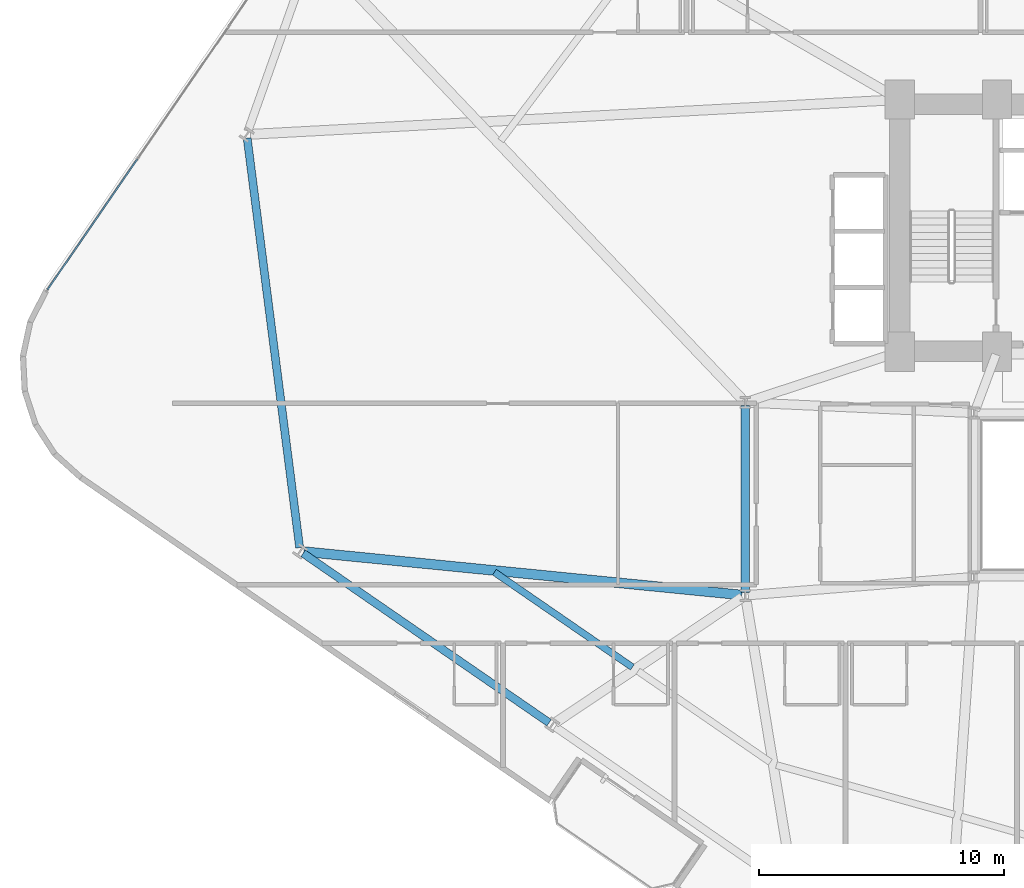
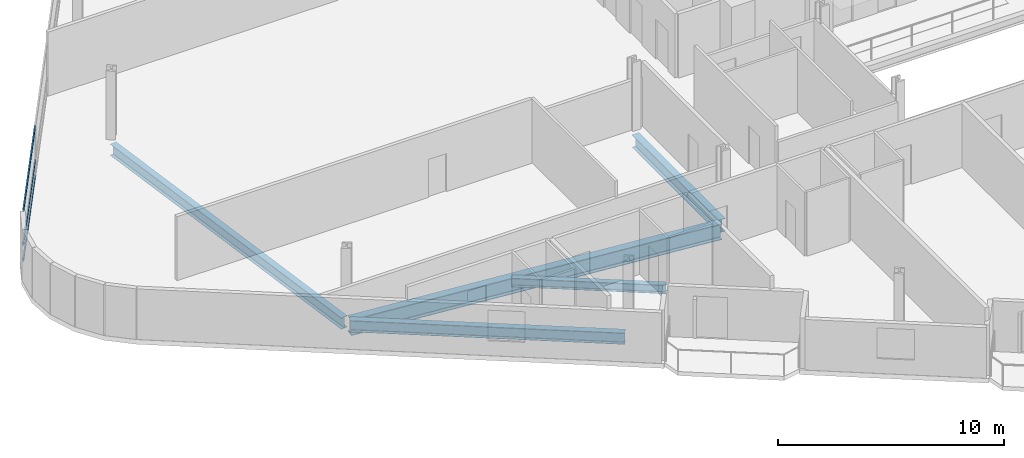
# One storey, part 3 of 25: 5 beams, 3 members, 1 element without a shape of its own.
"""IFC4 building model written with IfcOpenShell, lengths in metres."""

import ifcopenshell
import ifcopenshell.guid

model = None  # the IFC model being written
_history = None  # IfcOwnerHistory: only IFC2X3 demands one
_inside = {}  # id of a spatial element -> (the spatial element, [elements in it])
_under = {}  # id of a project, library or spatial element -> (it, [spatial elements below it])
_declared = {}  # id of a project -> (the project, [libraries it declares])
_typed = {}  # id of a type object -> (the type object, [elements of that type])
_made_of = {}  # id of a material, layer set ... -> (it, [elements and type objects made of it])


def new_model(schema):
    """Start an empty IFC model of exactly this schema.

    Asked for "IFC4X3", IfcOpenShell would pick the latest addendum, in which some entities
    have other attributes; the version numbers below select the first issue.
    IFC2X3 requires an IfcOwnerHistory on every rooted entity: one is made here for all.
    """
    global model, _history
    if schema == "IFC4X3":
        model = ifcopenshell.file(schema_version=(4, 3, 0, 0))
    else:
        model = ifcopenshell.file(schema=schema)
    _inside.clear()
    _under.clear()
    _declared.clear()
    _typed.clear()
    _made_of.clear()
    _history = None
    if model.schema == "IFC2X3":
        org = make("IfcOrganization", Name="unknown")
        user = make(
            "IfcPersonAndOrganization",
            ThePerson=make("IfcPerson", FamilyName="unknown"),
            TheOrganization=org,
        )
        app = make(
            "IfcApplication",
            ApplicationDeveloper=org,
            Version="unknown",
            ApplicationFullName="unknown",
            ApplicationIdentifier="unknown",
        )
        _history = make(
            "IfcOwnerHistory",
            OwningUser=user,
            OwningApplication=app,
            ChangeAction="ADDED",
            CreationDate=0,
        )
    return model


def make(cls, **values):
    """One entity of the class cls with the attributes given. An attribute that is None is left unset."""
    return model.create_entity(
        cls, **{name: value for name, value in values.items() if value is not None}
    )


def rooted(cls, **values):
    """An entity with a GlobalId (a new one), such as an element, a storey or a relation."""
    return make(cls, GlobalId=ifcopenshell.guid.new(), OwnerHistory=_history, **values)


def si_unit(unit_type, name, prefix=None):
    """IfcSIUnit, for example si_unit("LENGTHUNIT", "METRE", prefix="MILLI")."""
    return make("IfcSIUnit", UnitType=unit_type, Prefix=prefix, Name=name)


def assignment(units):
    """IfcUnitAssignment: the units of a project."""
    return None if units is None else make("IfcUnitAssignment", Units=units)


def point(xyz):
    """IfcCartesianPoint."""
    return None if xyz is None else make("IfcCartesianPoint", Coordinates=xyz)


def direction(xyz):
    """IfcDirection."""
    return None if xyz is None else make("IfcDirection", DirectionRatios=xyz)


def frame(location, z_axis=None, x_axis=None):
    """IfcAxis2Placement3D, a coordinate frame: its origin and axes. An axis left out is left unset."""
    return make(
        "IfcAxis2Placement3D",
        Location=point(location),
        Axis=direction(z_axis),
        RefDirection=direction(x_axis),
    )


def frame_2d(location, x_axis=None):
    """IfcAxis2Placement2D, a coordinate frame in the plane: its origin and x axis."""
    return make(
        "IfcAxis2Placement2D", Location=point(location), RefDirection=direction(x_axis)
    )


def origin():
    """The frame at (0, 0, 0) with its axes left unset."""
    return frame((0.0, 0.0, 0.0))


def origin_2d():
    """The frame at (0, 0) in the plane with its x axis left unset."""
    return frame_2d((0.0, 0.0))


def place(relative_to, where):
    """IfcLocalPlacement: puts the frame where relative to a parent placement (None: the world)."""
    return make(
        "IfcLocalPlacement", PlacementRelTo=relative_to, RelativePlacement=where
    )


def context(
    kind, dimensions, precision=None, world=None, true_north=None, identifier=None
):
    """IfcGeometricRepresentationContext, for example the 3D "Model" context."""
    return make(
        "IfcGeometricRepresentationContext",
        ContextIdentifier=identifier,
        ContextType=kind,
        CoordinateSpaceDimension=dimensions,
        Precision=precision,
        WorldCoordinateSystem=world,
        TrueNorth=true_north,
    )


def subcontext(parent, identifier, kind, view, scale=None):
    """IfcGeometricRepresentationSubContext, for example "Body" below "Model"."""
    return make(
        "IfcGeometricRepresentationSubContext",
        ContextIdentifier=identifier,
        ContextType=kind,
        ParentContext=parent,
        TargetScale=scale,
        TargetView=view,
    )


def project(units=None, contexts=None):
    """IfcProject with its units and contexts."""
    return rooted(
        "IfcProject",
        Name="project",
        RepresentationContexts=contexts,
        UnitsInContext=assignment(units),
    )


def spatial(cls, under=None, at=None, **own):
    """A site, building, storey or space (cls), placed at a placement, below another one or the project."""
    s = rooted(cls, ObjectPlacement=at, **own)
    if under is not None:
        _under.setdefault(under.id(), (under, []))[1].append(s)
    return s


def profile(cls, at=None, kind="AREA", **sizes):
    """A parametric profile (cls). Its sizes go by their IFC names, for example OverallWidth=200.0."""
    return make(cls, ProfileType=kind, Position=at, **sizes)


def hollow_rectangle(**sizes):
    """IfcRectangleHollowProfileDef."""
    return profile("IfcRectangleHollowProfileDef", **sizes)


def i_section(**sizes):
    """IfcIShapeProfileDef."""
    return profile("IfcIShapeProfileDef", **sizes)


def extrude(swept, where, along, depth):
    """IfcExtrudedAreaSolid: the profile swept, set in the frame where, extruded along a direction by depth."""
    return make(
        "IfcExtrudedAreaSolid",
        SweptArea=swept,
        Position=where,
        ExtrudedDirection=direction(along),
        Depth=depth,
    )


def shape(context_of_items, identifier, shape_type, items):
    """IfcShapeRepresentation: the items that make up one representation, for example the "Body"."""
    return make(
        "IfcShapeRepresentation",
        ContextOfItems=context_of_items,
        RepresentationIdentifier=identifier,
        RepresentationType=shape_type,
        Items=items,
    )


def material(Name=None, Category=None):
    """IfcMaterial."""
    return make("IfcMaterial", Name=Name, Category=Category)


def layer(
    of_material, thickness, ventilated=None, Name=None, Category=None, Priority=None
):
    """IfcMaterialLayer: one layer of a wall or slab, of a material (None: an air gap)."""
    return make(
        "IfcMaterialLayer",
        Material=of_material,
        LayerThickness=thickness,
        IsVentilated=ventilated,
        Name=Name,
        Category=Category,
        Priority=Priority,
    )


def layer_set(layers, Name=None):
    """IfcMaterialLayerSet."""
    return make("IfcMaterialLayerSet", MaterialLayers=layers, LayerSetName=Name)


def material_profile(
    of_material, cross_section, Name=None, Category=None, Priority=None
):
    """IfcMaterialProfile: a cross section and its material."""
    return make(
        "IfcMaterialProfile",
        Name=Name,
        Material=of_material,
        Profile=cross_section,
        Priority=Priority,
        Category=Category,
    )


def profile_set(profiles, Name=None, composite=None):
    """IfcMaterialProfileSet."""
    return make(
        "IfcMaterialProfileSet",
        Name=Name,
        MaterialProfiles=profiles,
        CompositeProfile=composite,
    )


def made_of(thing, what):
    """Note that an element or type object is made of a material, layer set ...; save() writes the relation."""
    if what is not None:
        _made_of.setdefault(what.id(), (what, []))[1].append(thing)
    return thing


def type_object(cls, material=None, **own):
    """A type object (cls), such as IfcWallType, which elements share."""
    return made_of(rooted(cls, **own), material)


def element(
    cls,
    number,
    at=None,
    inside=None,
    cuts=None,
    type_object=None,
    material=None,
    context=None,
    identifier="Body",
    shape_type=None,
    held_by="IfcProductDefinitionShape",
    body=None,
    shapes=None,
    **own,
):
    """One element of the class cls, such as IfcWall. Its Tag is "e" and its number.

    at: its placement. inside: the storey or other place that contains it. cuts: it is an
    opening in that element (IfcRelVoidsElement). A single representation is given by context,
    identifier, shape_type and body (its items); several are given by shapes. held_by: the class
    of the entity that holds the representations. save() writes the other relations.
    """
    e = rooted(cls, Tag="e%d" % number, ObjectPlacement=at, **own)
    if body is not None:
        shapes = [shape(context, identifier, shape_type, body)]
    if shapes is not None:
        e.Representation = make(held_by, Representations=shapes)
    if inside is not None:
        _inside.setdefault(inside.id(), (inside, []))[1].append(e)
    if cuts is not None:
        rooted(
            "IfcRelVoidsElement", RelatingBuildingElement=cuts, RelatedOpeningElement=e
        )
    if type_object is not None:
        _typed.setdefault(type_object.id(), (type_object, []))[1].append(e)
    return made_of(e, material)


def aggregate(whole, parts):
    """IfcRelAggregates: a whole, such as a stair, and the parts it consists of."""
    return rooted("IfcRelAggregates", RelatingObject=whole, RelatedObjects=parts)


def save(model, path):
    """Write the relations noted so far, then the file.

    IfcRelAggregates (storeys below a building ...), IfcRelContainedInSpatialStructure (elements
    in a storey), IfcRelDefinesByType, IfcRelAssociatesMaterial and IfcRelDeclares: one each for
    every whole, place, type object, material and project.
    """
    for whole, parts in _under.values():
        aggregate(whole, parts)
    for where, things in _inside.values():
        rooted(
            "IfcRelContainedInSpatialStructure",
            RelatedElements=things,
            RelatingStructure=where,
        )
    for kind, things in _typed.values():
        rooted("IfcRelDefinesByType", RelatedObjects=things, RelatingType=kind)
    for what, things in _made_of.values():
        rooted("IfcRelAssociatesMaterial", RelatedObjects=things, RelatingMaterial=what)
    for by, libraries in _declared.values():
        rooted("IfcRelDeclares", RelatingContext=by, RelatedDefinitions=libraries)
    model.write(path)


model = new_model("IFC4")

# Units and contexts
model_context = context("Model", 3, precision=1e-05, world=origin(), true_north=direction((0.0, 1.0)))
body_context = subcontext(model_context, "Body", "Model", "MODEL_VIEW")
ifc_project = project(units=[si_unit("LENGTHUNIT", "METRE"), si_unit("AREAUNIT", "SQUARE_METRE"), si_unit("VOLUMEUNIT", "CUBIC_METRE"), si_unit("PLANEANGLEUNIT", "RADIAN"), si_unit("MASSUNIT", "GRAM", prefix="KILO")], contexts=[model_context])

# Site, building, storey
site_placement = place(None, origin())
site = spatial("IfcSite", under=ifc_project, at=site_placement, CompositionType="ELEMENT")
building_placement = place(site_placement, origin())
building = spatial("IfcBuilding", under=site, at=building_placement, Name="Varnelok Gate Tower", CompositionType="ELEMENT")
storey_placement = place(building_placement, frame((0.0, 0.0, 52.89990234375)))
storey = spatial("IfcBuildingStorey", under=building, at=storey_placement, Name="L12", CompositionType="ELEMENT", Elevation=52.89990234375)

# Beams
ifc_material_1 = material(Name="Structural Steel ASTM A992 Grade 50", Category="steel")
ifc_material_profile_1 = material_profile(ifc_material_1, i_section(OverallWidth=0.280029296875, OverallDepth=0.462890625, WebThickness=0.0107421875, FlangeThickness=0.017333984375, FilletRadius=0.014892578125, at=origin_2d()), Name="W18X76")
ifc_profile_set_1 = profile_set([ifc_material_profile_1], Name="Structural Steel ASTM A992 Grade 50")
beam_type_1 = type_object("IfcBeamType", Name="BM-JST-W18X76", PredefinedType="JOIST", material=ifc_profile_set_1)
beam_1_placement = place(storey_placement, frame((14.149658203125, 19.748046875, -0.4814453125), z_axis=(0.823536853352, -0.567262770831, 0.0), x_axis=(0.567262770831, 0.823536853352, 0.0)))
element("IfcBeam", 1, at=beam_1_placement, inside=storey, type_object=beam_type_1, Name="L12 Sector Floor Joist 1", PredefinedType="JOIST", context=body_context, shape_type="SweptSolid", body=[
    extrude(i_section(OverallWidth=0.280029296875, OverallDepth=0.462890625, WebThickness=0.0107421875, FlangeThickness=0.017333984375, FilletRadius=0.014892578125, at=origin_2d()), origin(), (0.0, 0.0, 1.0), 6.8447265625),
])
ifc_material_profile_2 = material_profile(ifc_material_1, i_section(OverallWidth=0.35498046875, OverallDepth=0.696044921875, WebThickness=0.015380859375, FlangeThickness=0.02490234375, FilletRadius=0.02001953125, at=origin_2d()), Name="W27X146")
ifc_profile_set_2 = profile_set([ifc_material_profile_2], Name="Structural Steel ASTM A992 Grade 50")
beam_type_2 = type_object("IfcBeamType", Name="BM-PRI-W27X146", PredefinedType="BEAM", material=ifc_profile_set_2)
beam_2_placement = place(storey_placement, frame((24.39990234375, 18.919921875, -0.597900390625), z_axis=(0.0, 1.0, 0.0), x_axis=(-1.0, 0.0, 0.0)))
element("IfcBeam", 2, at=beam_2_placement, inside=storey, type_object=beam_type_2, Name="L12 Core-Atrium Spine Beam 16", PredefinedType="BEAM", context=body_context, shape_type="SweptSolid", body=[
    extrude(i_section(OverallWidth=0.35498046875, OverallDepth=0.696044921875, WebThickness=0.015380859375, FlangeThickness=0.02490234375, FilletRadius=0.02001953125, at=origin_2d()), origin(), (0.0, 0.0, 1.0), 7.64013671875),
])
ifc_material_profile_3 = material_profile(ifc_material_1, i_section(OverallWidth=0.39892578125, OverallDepth=0.85498046875, WebThickness=0.018310546875, FlangeThickness=0.029296875, FilletRadius=0.02392578125, at=origin_2d()), Name="W33X201")
ifc_profile_set_3 = profile_set([ifc_material_profile_3], Name="Structural Steel ASTM A992 Grade 50")
beam_type_3 = type_object("IfcBeamType", Name="BM-PRI-W33X201", PredefinedType="BEAM", material=ifc_profile_set_3)
beam_3_placement = place(storey_placement, frame((24.250732421875, 18.814697265625, -0.677490234375), z_axis=(-0.995122218733, 0.098649732815, 0.0), x_axis=(-0.098649732815, -0.995122218733, 0.0)))
element("IfcBeam", 3, at=beam_3_placement, inside=storey, type_object=beam_type_3, Name="L12 Radial Floor Girder 1", PredefinedType="BEAM", context=body_context, shape_type="SweptSolid", body=[
    extrude(i_section(OverallWidth=0.39892578125, OverallDepth=0.85498046875, WebThickness=0.018310546875, FlangeThickness=0.029296875, FilletRadius=0.02392578125, at=origin_2d()), origin(), (0.0, 0.0, 1.0), 17.974609375),
])
ifc_material_profile_4 = material_profile(ifc_material_1, i_section(OverallWidth=0.323974609375, OverallDepth=0.611083984375, WebThickness=0.0126953125, FlangeThickness=0.01904296875, FilletRadius=0.01806640625, at=origin_2d()), Name="W24X104")
ifc_profile_set_4 = profile_set([ifc_material_profile_4], Name="Structural Steel ASTM A992 Grade 50")
beam_type_4 = type_object("IfcBeamType", Name="BM-SPN-W24X104", PredefinedType="SPANDREL", material=ifc_profile_set_4)
beam_4_placement = place(storey_placement, frame((6.337890625, 20.517578125, -0.555419921875), z_axis=(0.823540632156, -0.567257284826, 0.0), x_axis=(0.567257284826, 0.823540632156, 0.0)))
element("IfcBeam", 4, at=beam_4_placement, inside=storey, type_object=beam_type_4, Name="L12 Perimeter Spandrel Beam 1", PredefinedType="SPANDREL", context=body_context, shape_type="SweptSolid", body=[
    extrude(i_section(OverallWidth=0.323974609375, OverallDepth=0.611083984375, WebThickness=0.0126953125, FlangeThickness=0.01904296875, FilletRadius=0.01806640625, at=origin_2d()), origin(), (0.0, 0.0, 1.0), 12.2001953125),
])
beam_5_placement = place(storey_placement, frame((4.05224609375, 37.47509765625, -0.555419921875), z_axis=(0.127106601297, -0.991889062298, 0.0), x_axis=(0.991889062298, 0.127106601297, 0.0)))
element("IfcBeam", 5, at=beam_5_placement, inside=storey, type_object=beam_type_4, Name="L12 Perimeter Spandrel Beam 16", PredefinedType="SPANDREL", context=body_context, shape_type="SweptSolid", body=[
    extrude(i_section(OverallWidth=0.323974609375, OverallDepth=0.611083984375, WebThickness=0.0126953125, FlangeThickness=0.01904296875, FilletRadius=0.01806640625, at=origin_2d()), origin(), (0.0, 0.0, 1.0), 16.8603515625),
])

# Curtain wall, members
ifc_material_2 = material(Name="Anodized Aluminum Alloy 6063-T6", Category="aluminium")
ifc_layer = layer(ifc_material_2, 0.179931640625)
ifc_layer_set = layer_set([ifc_layer], Name="Anodized Aluminum Alloy 6063-T6")
curtain_wall_type = type_object("IfcCurtainWallType", Name="CW3-HOTEL-VISION", PredefinedType="USERDEFINED", material=ifc_layer_set)
curtain_wall_placement = place(storey_placement, origin())
curtain_wall = element("IfcCurtainWall", 6, at=curtain_wall_placement, inside=storey, type_object=curtain_wall_type, Name="L12 West End Vision Curtain Wall", ObjectType="UNITISED CURTAIN WALL", PredefinedType="USERDEFINED")
ifc_material_profile_5 = material_profile(ifc_material_2, hollow_rectangle(XDim=0.06494140625, YDim=0.159912109375, WallThickness=0.00390625, at=origin_2d()), Name="ALU160X65X4")
ifc_profile_set_5 = profile_set([ifc_material_profile_5], Name="Anodized Aluminum Alloy 6063-T6")
member_type = type_object("IfcMemberType", Name="CW-TRAN-160", PredefinedType="USERDEFINED", material=ifc_profile_set_5)
member_1_placement = place(storey_placement, frame((-4.10546875, 31.287353515625, 0.03271484375), z_axis=(0.567255754851, 0.823541686006, 0.0), x_axis=(-0.823541686006, 0.567255754851, 0.0)))
member_1 = element("IfcMember", 7, at=member_1_placement, type_object=member_type, Name="CW3 transom 1.1", ObjectType="TRANSOM", PredefinedType="USERDEFINED", context=body_context, shape_type="SweptSolid", body=[
    extrude(hollow_rectangle(XDim=0.06494140625, YDim=0.159912109375, WallThickness=0.00390625, at=origin_2d()), origin(), (0.0, 0.0, 1.0), 6.46923828125),
])
member_2_placement = place(storey_placement, frame((-4.10546875, 31.287353515625, 0.900146484375), z_axis=(0.567255754851, 0.823541686006, 0.0), x_axis=(-0.823541686006, 0.567255754851, 0.0)))
member_2 = element("IfcMember", 8, at=member_2_placement, type_object=member_type, Name="CW3 transom 1.2", ObjectType="TRANSOM", PredefinedType="USERDEFINED", context=body_context, shape_type="SweptSolid", body=[
    extrude(hollow_rectangle(XDim=0.06494140625, YDim=0.159912109375, WallThickness=0.00390625, at=origin_2d()), origin(), (0.0, 0.0, 1.0), 6.46923828125),
])
member_3_placement = place(storey_placement, frame((-4.10546875, 31.287353515625, 2.697509765625), z_axis=(0.567255754851, 0.823541686006, 0.0), x_axis=(-0.823541686006, 0.567255754851, 0.0)))
member_3 = element("IfcMember", 9, at=member_3_placement, type_object=member_type, Name="CW3 transom 1.3", ObjectType="TRANSOM", PredefinedType="USERDEFINED", context=body_context, shape_type="SweptSolid", body=[
    extrude(hollow_rectangle(XDim=0.06494140625, YDim=0.159912109375, WallThickness=0.00390625, at=origin_2d()), origin(), (0.0, 0.0, 1.0), 6.46923828125),
])
aggregate(curtain_wall, [member_1, member_2, member_3])

save(model, "model.ifc")
